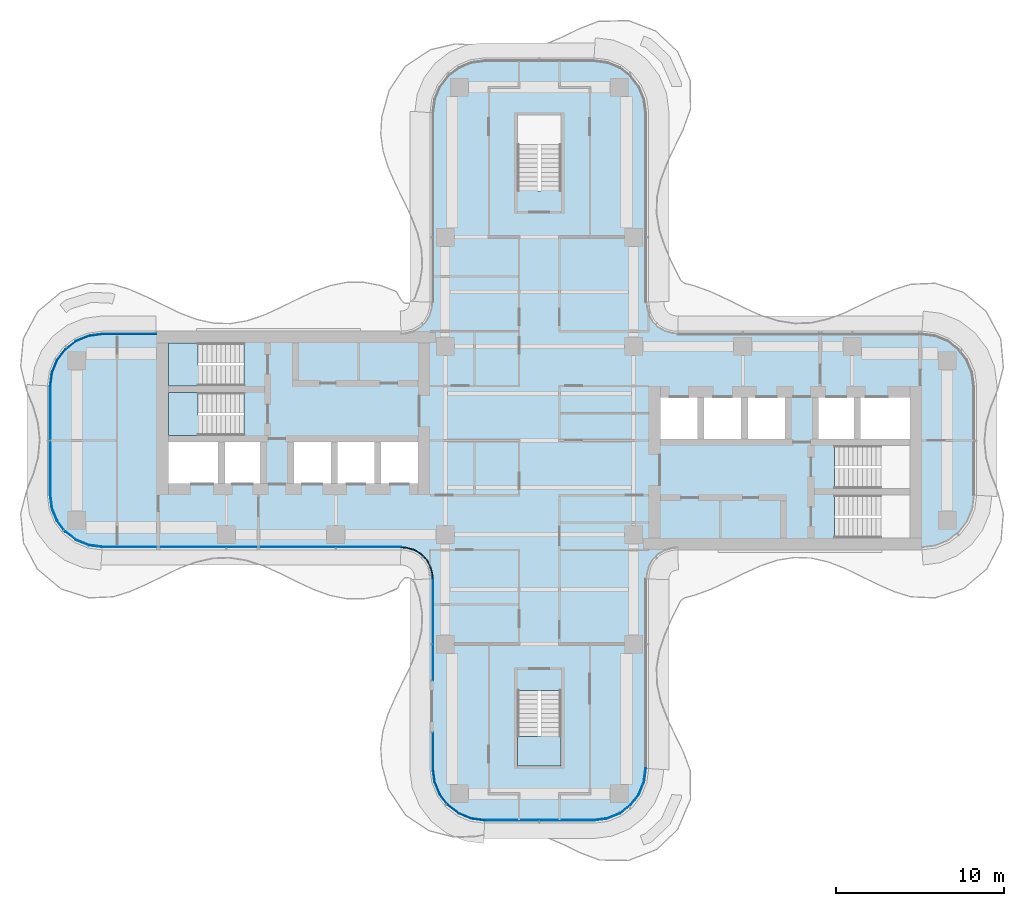
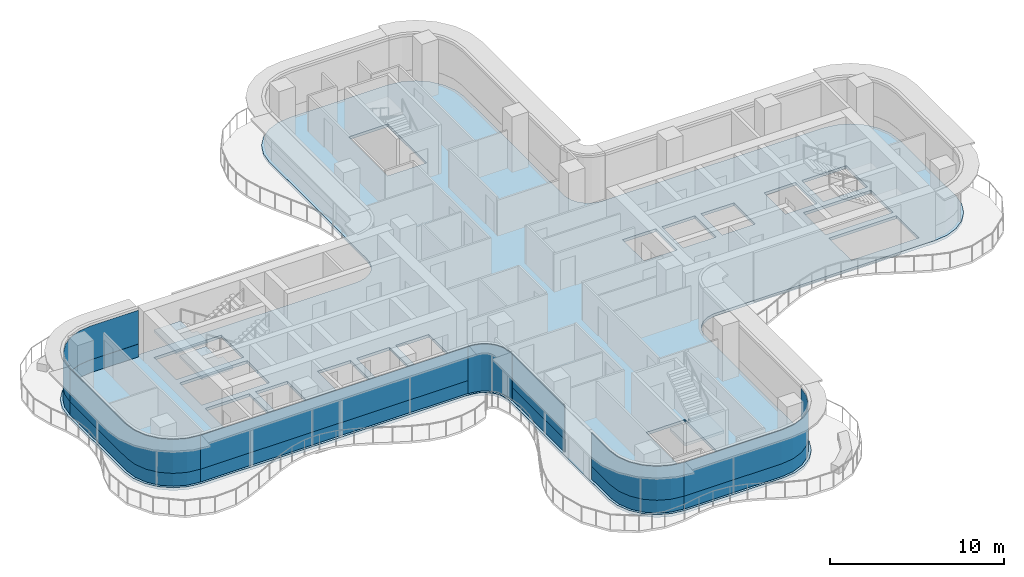
# One storey, part 8 of 16: 13 plates, 4 slabs, 10 elements without a shape of their own.
"""IFC4 building model written with IfcOpenShell, lengths in metres."""

import ifcopenshell
import ifcopenshell.guid

model = None  # the IFC model being written
_history = None  # IfcOwnerHistory: only IFC2X3 demands one
_inside = {}  # id of a spatial element -> (the spatial element, [elements in it])
_under = {}  # id of a project, library or spatial element -> (it, [spatial elements below it])
_declared = {}  # id of a project -> (the project, [libraries it declares])
_typed = {}  # id of a type object -> (the type object, [elements of that type])
_made_of = {}  # id of a material, layer set ... -> (it, [elements and type objects made of it])


def new_model(schema):
    """Start an empty IFC model of exactly this schema.

    Asked for "IFC4X3", IfcOpenShell would pick the latest addendum, in which some entities
    have other attributes; the version numbers below select the first issue.
    IFC2X3 requires an IfcOwnerHistory on every rooted entity: one is made here for all.
    """
    global model, _history
    if schema == "IFC4X3":
        model = ifcopenshell.file(schema_version=(4, 3, 0, 0))
    else:
        model = ifcopenshell.file(schema=schema)
    _inside.clear()
    _under.clear()
    _declared.clear()
    _typed.clear()
    _made_of.clear()
    _history = None
    if model.schema == "IFC2X3":
        org = make("IfcOrganization", Name="unknown")
        user = make(
            "IfcPersonAndOrganization",
            ThePerson=make("IfcPerson", FamilyName="unknown"),
            TheOrganization=org,
        )
        app = make(
            "IfcApplication",
            ApplicationDeveloper=org,
            Version="unknown",
            ApplicationFullName="unknown",
            ApplicationIdentifier="unknown",
        )
        _history = make(
            "IfcOwnerHistory",
            OwningUser=user,
            OwningApplication=app,
            ChangeAction="ADDED",
            CreationDate=0,
        )
    return model


def make(cls, **values):
    """One entity of the class cls with the attributes given. An attribute that is None is left unset."""
    return model.create_entity(
        cls, **{name: value for name, value in values.items() if value is not None}
    )


def rooted(cls, **values):
    """An entity with a GlobalId (a new one), such as an element, a storey or a relation."""
    return make(cls, GlobalId=ifcopenshell.guid.new(), OwnerHistory=_history, **values)


def si_unit(unit_type, name, prefix=None):
    """IfcSIUnit, for example si_unit("LENGTHUNIT", "METRE", prefix="MILLI")."""
    return make("IfcSIUnit", UnitType=unit_type, Prefix=prefix, Name=name)


def assignment(units):
    """IfcUnitAssignment: the units of a project."""
    return None if units is None else make("IfcUnitAssignment", Units=units)


def point(xyz):
    """IfcCartesianPoint."""
    return None if xyz is None else make("IfcCartesianPoint", Coordinates=xyz)


def direction(xyz):
    """IfcDirection."""
    return None if xyz is None else make("IfcDirection", DirectionRatios=xyz)


def frame(location, z_axis=None, x_axis=None):
    """IfcAxis2Placement3D, a coordinate frame: its origin and axes. An axis left out is left unset."""
    return make(
        "IfcAxis2Placement3D",
        Location=point(location),
        Axis=direction(z_axis),
        RefDirection=direction(x_axis),
    )


def origin():
    """The frame at (0, 0, 0) with its axes left unset."""
    return frame((0.0, 0.0, 0.0))


def place(relative_to, where):
    """IfcLocalPlacement: puts the frame where relative to a parent placement (None: the world)."""
    return make(
        "IfcLocalPlacement", PlacementRelTo=relative_to, RelativePlacement=where
    )


def context(
    kind, dimensions, precision=None, world=None, true_north=None, identifier=None
):
    """IfcGeometricRepresentationContext, for example the 3D "Model" context."""
    return make(
        "IfcGeometricRepresentationContext",
        ContextIdentifier=identifier,
        ContextType=kind,
        CoordinateSpaceDimension=dimensions,
        Precision=precision,
        WorldCoordinateSystem=world,
        TrueNorth=true_north,
    )


def subcontext(parent, identifier, kind, view, scale=None):
    """IfcGeometricRepresentationSubContext, for example "Body" below "Model"."""
    return make(
        "IfcGeometricRepresentationSubContext",
        ContextIdentifier=identifier,
        ContextType=kind,
        ParentContext=parent,
        TargetScale=scale,
        TargetView=view,
    )


def project(units=None, contexts=None):
    """IfcProject with its units and contexts."""
    return rooted(
        "IfcProject",
        Name="project",
        RepresentationContexts=contexts,
        UnitsInContext=assignment(units),
    )


def spatial(cls, under=None, at=None, **own):
    """A site, building, storey or space (cls), placed at a placement, below another one or the project."""
    s = rooted(cls, ObjectPlacement=at, **own)
    if under is not None:
        _under.setdefault(under.id(), (under, []))[1].append(s)
    return s


def polyline(points):
    """IfcPolyline through the points."""
    return make("IfcPolyline", Points=[point(p) for p in points])


def outline(outer, holes=None, kind="AREA"):
    """IfcArbitraryClosedProfileDef: a profile drawn as a closed curve; with holes, ...WithVoids."""
    if holes is None:
        return make("IfcArbitraryClosedProfileDef", ProfileType=kind, OuterCurve=outer)
    return make(
        "IfcArbitraryProfileDefWithVoids",
        ProfileType=kind,
        OuterCurve=outer,
        InnerCurves=holes,
    )


def extrude(swept, where, along, depth):
    """IfcExtrudedAreaSolid: the profile swept, set in the frame where, extruded along a direction by depth."""
    return make(
        "IfcExtrudedAreaSolid",
        SweptArea=swept,
        Position=where,
        ExtrudedDirection=direction(along),
        Depth=depth,
    )


def shape(context_of_items, identifier, shape_type, items):
    """IfcShapeRepresentation: the items that make up one representation, for example the "Body"."""
    return make(
        "IfcShapeRepresentation",
        ContextOfItems=context_of_items,
        RepresentationIdentifier=identifier,
        RepresentationType=shape_type,
        Items=items,
    )


def source(mapping_origin, context_of_items, identifier, shape_type, items):
    """IfcRepresentationMap: a shape defined once, which mapped items show again and again."""
    return make(
        "IfcRepresentationMap",
        MappingOrigin=mapping_origin,
        MappedRepresentation=shape(context_of_items, identifier, shape_type, items),
    )


def transform(
    local_origin,
    x_axis=None,
    y_axis=None,
    z_axis=None,
    scale=None,
    scale2=None,
    scale3=None,
    uniform=True,
):
    """IfcCartesianTransformationOperator3D, or its non-uniform kind. x_axis, y_axis, z_axis: its Axis1, 2, 3."""
    if uniform:
        return make(
            "IfcCartesianTransformationOperator3D",
            Axis1=direction(x_axis),
            Axis2=direction(y_axis),
            LocalOrigin=point(local_origin),
            Scale=scale,
            Axis3=direction(z_axis),
        )
    return make(
        "IfcCartesianTransformationOperator3DnonUniform",
        Axis1=direction(x_axis),
        Axis2=direction(y_axis),
        LocalOrigin=point(local_origin),
        Scale=scale,
        Axis3=direction(z_axis),
        Scale2=scale2,
        Scale3=scale3,
    )


def mapped(mapping_source, mapping_target):
    """IfcMappedItem: shows the shape of a source again, moved by a transform."""
    return make(
        "IfcMappedItem", MappingSource=mapping_source, MappingTarget=mapping_target
    )


def material(Name=None, Category=None):
    """IfcMaterial."""
    return make("IfcMaterial", Name=Name, Category=Category)


def layer(
    of_material, thickness, ventilated=None, Name=None, Category=None, Priority=None
):
    """IfcMaterialLayer: one layer of a wall or slab, of a material (None: an air gap)."""
    return make(
        "IfcMaterialLayer",
        Material=of_material,
        LayerThickness=thickness,
        IsVentilated=ventilated,
        Name=Name,
        Category=Category,
        Priority=Priority,
    )


def layer_set(layers, Name=None):
    """IfcMaterialLayerSet."""
    return make("IfcMaterialLayerSet", MaterialLayers=layers, LayerSetName=Name)


def made_of(thing, what):
    """Note that an element or type object is made of a material, layer set ...; save() writes the relation."""
    if what is not None:
        _made_of.setdefault(what.id(), (what, []))[1].append(thing)
    return thing


def type_object(cls, material=None, **own):
    """A type object (cls), such as IfcWallType, which elements share."""
    return made_of(rooted(cls, **own), material)


def element(
    cls,
    number,
    at=None,
    inside=None,
    cuts=None,
    type_object=None,
    material=None,
    context=None,
    identifier="Body",
    shape_type=None,
    held_by="IfcProductDefinitionShape",
    body=None,
    shapes=None,
    **own,
):
    """One element of the class cls, such as IfcWall. Its Tag is "e" and its number.

    at: its placement. inside: the storey or other place that contains it. cuts: it is an
    opening in that element (IfcRelVoidsElement). A single representation is given by context,
    identifier, shape_type and body (its items); several are given by shapes. held_by: the class
    of the entity that holds the representations. save() writes the other relations.
    """
    e = rooted(cls, Tag="e%d" % number, ObjectPlacement=at, **own)
    if body is not None:
        shapes = [shape(context, identifier, shape_type, body)]
    if shapes is not None:
        e.Representation = make(held_by, Representations=shapes)
    if inside is not None:
        _inside.setdefault(inside.id(), (inside, []))[1].append(e)
    if cuts is not None:
        rooted(
            "IfcRelVoidsElement", RelatingBuildingElement=cuts, RelatedOpeningElement=e
        )
    if type_object is not None:
        _typed.setdefault(type_object.id(), (type_object, []))[1].append(e)
    return made_of(e, material)


def aggregate(whole, parts):
    """IfcRelAggregates: a whole, such as a stair, and the parts it consists of."""
    return rooted("IfcRelAggregates", RelatingObject=whole, RelatedObjects=parts)


def save(model, path):
    """Write the relations noted so far, then the file.

    IfcRelAggregates (storeys below a building ...), IfcRelContainedInSpatialStructure (elements
    in a storey), IfcRelDefinesByType, IfcRelAssociatesMaterial and IfcRelDeclares: one each for
    every whole, place, type object, material and project.
    """
    for whole, parts in _under.values():
        aggregate(whole, parts)
    for where, things in _inside.values():
        rooted(
            "IfcRelContainedInSpatialStructure",
            RelatedElements=things,
            RelatingStructure=where,
        )
    for kind, things in _typed.values():
        rooted("IfcRelDefinesByType", RelatedObjects=things, RelatingType=kind)
    for what, things in _made_of.values():
        rooted("IfcRelAssociatesMaterial", RelatedObjects=things, RelatingMaterial=what)
    for by, libraries in _declared.values():
        rooted("IfcRelDeclares", RelatingContext=by, RelatedDefinitions=libraries)
    model.write(path)


model = new_model("IFC4")

# Units and contexts
model_context = context("Model", 3, precision=1e-05, world=origin(), true_north=direction((0.0, 1.0)))
body_context = subcontext(model_context, "Body", "Model", "MODEL_VIEW")
ifc_project = project(units=[si_unit("LENGTHUNIT", "METRE"), si_unit("AREAUNIT", "SQUARE_METRE"), si_unit("VOLUMEUNIT", "CUBIC_METRE"), si_unit("PLANEANGLEUNIT", "RADIAN"), si_unit("MASSUNIT", "GRAM", prefix="KILO")], contexts=[model_context])

# Site, building, storey
site_placement = place(None, origin())
site = spatial("IfcSite", under=ifc_project, at=site_placement, CompositionType="ELEMENT")
building_placement = place(site_placement, origin())
building = spatial("IfcBuilding", under=site, at=building_placement, Name="Trellis Farm Tower", CompositionType="ELEMENT")
storey_placement = place(building_placement, frame((0.0, 0.0, 267.5)))
storey = spatial("IfcBuildingStorey", under=building, at=storey_placement, Name="L60", CompositionType="ELEMENT", Elevation=267.5)

# Curtain wall, plate
ifc_material_1 = material(Name="Aluminium and glass curtain wall", Category="aluminium")
ifc_layer_1 = layer(ifc_material_1, 0.18994140625)
ifc_layer_set_1 = layer_set([ifc_layer_1], Name="RIBBON CURTAIN WALL CW1")
curtain_wall_type_1 = type_object("IfcCurtainWallType", Name="RIBBON CURTAIN WALL CW1", PredefinedType="NOTDEFINED", material=ifc_layer_set_1)
placement_1 = place(storey_placement, origin())
curtain_wall_1 = element("IfcCurtainWall", 1, at=placement_1, inside=storey, type_object=curtain_wall_type_1, Name="CW1 002", PredefinedType="NOTDEFINED")
ifc_material_2 = material(Name="Clear insulated glass", Category="glass")
ifc_layer_2 = layer(ifc_material_2, 0.0400390625)
ifc_layer_set_2 = layer_set([ifc_layer_2], Name="CW1 GLASS PANEL 40")
plate_type_1 = type_object("IfcPlateType", Name="CW1 GLASS PANEL 40", PredefinedType="CURTAIN_PANEL", material=ifc_layer_set_2)
placement_2 = place(storey_placement, frame((0.0, 0.0, 0.89990234375)))
plate_1 = element("IfcPlate", 2, at=placement_2, type_object=plate_type_1, Name="PL1 002", PredefinedType="CURTAIN_PANEL", context=body_context, shape_type="SweptSolid", body=[
    extrude(outline(polyline([(-6.35009765625, -8.2265625), (-6.35009765625, -14.239990234375), (-6.31005859375, -14.239990234375), (-6.31005859375, -8.22509765625), (-6.35009765625, -8.2265625)])), origin(), (0.0, 0.0, 1.0), 2.3701171875),
])

curtain_wall_2 = element("IfcCurtainWall", 3, at=placement_1, inside=storey, type_object=curtain_wall_type_1, Name="CW1 003", PredefinedType="NOTDEFINED")
plate_2 = element("IfcPlate", 4, at=placement_2, type_object=plate_type_1, Name="PL1 003", PredefinedType="CURTAIN_PANEL", context=body_context, shape_type="SweptSolid", body=[
    extrude(outline(polyline([(-6.35009765625, -17.360107421875), (-6.35009765625, -19.490234375), (-6.2431640625, -20.302001953125), (-5.93359375, -21.04931640625), (-5.441162109375, -21.691162109375), (-4.79931640625, -22.18359375), (-4.052001953125, -22.4931640625), (-3.240234375, -22.60009765625), (-3.237548828125, -22.56005859375), (-4.04150390625, -22.4541015625), (-4.779296875, -22.148681640625), (-5.41259765625, -21.66259765625), (-5.898681640625, -21.029296875), (-6.2041015625, -20.29150390625), (-6.31005859375, -19.487548828125), (-6.31005859375, -17.360107421875), (-6.35009765625, -17.360107421875)])), origin(), (0.0, 0.0, 1.0), 2.3701171875),
])

curtain_wall_3 = element("IfcCurtainWall", 5, at=placement_1, inside=storey, type_object=curtain_wall_type_1, Name="CW1 004", PredefinedType="NOTDEFINED")
plate_3 = element("IfcPlate", 6, at=placement_2, type_object=plate_type_1, Name="PL1 004", PredefinedType="CURTAIN_PANEL", context=body_context, shape_type="SweptSolid", body=[
    extrude(outline(polyline([(-3.240234375, -22.60009765625), (3.240234375, -22.60009765625), (4.052001953125, -22.4931640625), (4.79931640625, -22.18359375), (5.441162109375, -21.691162109375), (5.93359375, -21.04931640625), (6.2431640625, -20.302001953125), (6.35009765625, -19.490234375), (6.31005859375, -19.487548828125), (6.2041015625, -20.29150390625), (5.898681640625, -21.029296875), (5.41259765625, -21.66259765625), (4.779296875, -22.148681640625), (4.04150390625, -22.4541015625), (3.237548828125, -22.56005859375), (-3.237548828125, -22.56005859375), (-3.240234375, -22.60009765625)])), origin(), (0.0, 0.0, 1.0), 2.3701171875),
])

# Slab
ifc_material_3 = material(Name="Concrete C40/50", Category="concrete")
ifc_layer_3 = layer(ifc_material_3, 0.199951171875)
ifc_layer_set_3 = layer_set([ifc_layer_3], Name="Composite deck floor slab 200")
slab_type_1 = type_object("IfcSlabType", Name="Composite deck floor slab 200", PredefinedType="FLOOR", material=ifc_layer_set_3)
shared_shape_1 = source(origin(), body_context, "Body", "SweptSolid", [
    extrude(outline(polyline([(-26.84130859375, -6.389404296875), (-27.625, -6.064697265625), (-28.298095703125, -5.548095703125), (-28.814697265625, -4.875), (-29.139404296875, -4.09130859375), (-29.25, -3.25), (-29.25, 3.25), (-29.139404296875, 4.09130859375), (-28.814697265625, 4.875), (-28.298095703125, 5.548095703125), (-27.625, 6.064697265625), (-26.84130859375, 6.389404296875), (-26.0, 6.5), (-8.2314453125, 6.5), (-8.01953125, 6.513916015625), (-7.91552734375, 6.527587890625), (-7.508544921875, 6.63671875), (-7.144287109375, 6.846923828125), (-6.846923828125, 7.144287109375), (-6.63671875, 7.508544921875), (-6.527587890625, 7.91552734375), (-6.513916015625, 8.01953125), (-6.5, 8.2314453125), (-6.5, 19.5), (-6.389404296875, 20.34130859375), (-6.064697265625, 21.125), (-5.548095703125, 21.798095703125), (-4.875, 22.314697265625), (-4.09130859375, 22.639404296875), (-3.25, 22.75), (3.25, 22.75), (4.09130859375, 22.639404296875), (4.875, 22.314697265625), (5.548095703125, 21.798095703125), (6.064697265625, 21.125), (6.389404296875, 20.34130859375), (6.5, 19.5), (6.5, 8.2314453125), (6.513916015625, 8.01953125), (6.527587890625, 7.91552734375), (6.63671875, 7.508544921875), (6.846923828125, 7.144287109375), (7.144287109375, 6.846923828125), (7.508544921875, 6.63671875), (7.91552734375, 6.527587890625), (8.01953125, 6.513916015625), (8.2314453125, 6.5), (22.75, 6.5), (23.59130859375, 6.389404296875), (24.375, 6.064697265625), (25.048095703125, 5.548095703125), (25.564697265625, 4.875), (25.889404296875, 4.09130859375), (26.0, 3.25), (26.0, -3.25), (25.889404296875, -4.09130859375), (25.564697265625, -4.875), (25.048095703125, -5.548095703125), (24.375, -6.064697265625), (23.59130859375, -6.389404296875), (22.75, -6.5), (8.2314453125, -6.5), (8.01953125, -6.513916015625), (7.91552734375, -6.527587890625), (7.508544921875, -6.63671875), (7.144287109375, -6.846923828125), (6.846923828125, -7.144287109375), (6.63671875, -7.508544921875), (6.527587890625, -7.91552734375), (6.513916015625, -8.01953125), (6.5, -8.2314453125), (6.5, -19.5), (6.389404296875, -20.34130859375), (6.064697265625, -21.125), (5.548095703125, -21.798095703125), (4.875, -22.314697265625), (4.09130859375, -22.639404296875), (3.25, -22.75), (-3.25, -22.75), (-4.09130859375, -22.639404296875), (-4.875, -22.314697265625), (-5.548095703125, -21.798095703125), (-6.064697265625, -21.125), (-6.389404296875, -20.34130859375), (-6.5, -19.5), (-6.5, -8.2314453125), (-6.513916015625, -8.01953125), (-6.527587890625, -7.91552734375), (-6.63671875, -7.508544921875), (-6.846923828125, -7.144287109375), (-7.144287109375, -6.846923828125), (-7.508544921875, -6.63671875), (-7.91552734375, -6.527587890625), (-8.01953125, -6.513916015625), (-8.2314453125, -6.5), (-26.0, -6.5), (-26.84130859375, -6.389404296875)]), holes=[polyline([(-22.050048828125, -0.10009765625), (-22.050048828125, -2.550048828125), (-19.10009765625, -2.550048828125), (-19.10009765625, -0.10009765625), (-22.050048828125, -0.10009765625)]), polyline([(-18.699951171875, -0.10009765625), (-18.699951171875, -2.550048828125), (-16.60009765625, -2.550048828125), (-16.60009765625, -0.10009765625), (-18.699951171875, -0.10009765625)]), polyline([(-14.60009765625, -0.10009765625), (-14.60009765625, -2.550048828125), (-12.39990234375, -2.550048828125), (-12.39990234375, -0.10009765625), (-14.60009765625, -0.10009765625)]), polyline([(-12.0, -0.10009765625), (-12.0, -2.550048828125), (-9.800048828125, -2.550048828125), (-9.800048828125, -0.10009765625), (-12.0, -0.10009765625)]), polyline([(-9.39990234375, -0.10009765625), (-9.39990234375, -2.550048828125), (-7.199951171875, -2.550048828125), (-7.199951171875, -0.10009765625), (-9.39990234375, -0.10009765625)]), polyline([(-17.56201171875, 1.64990234375), (-17.56201171875, 2.85009765625), (-22.050048828125, 2.85009765625), (-22.050048828125, 0.300048828125), (-17.56005859375, 0.300048828125), (-17.56005859375, 1.5), (-17.550048828125, 1.5), (-17.550048828125, 1.64990234375), (-17.56201171875, 1.64990234375)]), polyline([(-17.56201171875, 4.60009765625), (-17.56201171875, 5.800048828125), (-22.050048828125, 5.800048828125), (-22.050048828125, 3.25), (-17.56005859375, 3.25), (-17.56005859375, 4.449951171875), (-17.550048828125, 4.449951171875), (-17.550048828125, 4.60009765625), (-17.56201171875, 4.60009765625)]), polyline([(0.10009765625, 14.862060546875), (1.300048828125, 14.862060546875), (1.300048828125, 19.35009765625), (-1.300048828125, 19.35009765625), (-1.300048828125, 14.860107421875), (-0.10009765625, 14.860107421875), (-0.10009765625, 14.85009765625), (0.10009765625, 14.85009765625), (0.10009765625, 14.862060546875)]), polyline([(-0.10009765625, -14.862060546875), (-1.300048828125, -14.862060546875), (-1.300048828125, -19.35009765625), (1.300048828125, -19.35009765625), (1.300048828125, -14.860107421875), (0.10009765625, -14.860107421875), (0.10009765625, -14.85009765625), (-0.10009765625, -14.85009765625), (-0.10009765625, -14.862060546875)]), polyline([(17.56201171875, -4.60009765625), (17.56201171875, -5.800048828125), (22.050048828125, -5.800048828125), (22.050048828125, -3.25), (17.56005859375, -3.25), (17.56005859375, -4.449951171875), (17.550048828125, -4.449951171875), (17.550048828125, -4.60009765625), (17.56201171875, -4.60009765625)]), polyline([(17.56201171875, -1.64990234375), (17.56201171875, -2.85009765625), (22.050048828125, -2.85009765625), (22.050048828125, -0.300048828125), (17.56005859375, -0.300048828125), (17.56005859375, -1.5), (17.550048828125, -1.5), (17.550048828125, -1.64990234375), (17.56201171875, -1.64990234375)]), polyline([(9.39990234375, 0.10009765625), (9.39990234375, 2.550048828125), (7.199951171875, 2.550048828125), (7.199951171875, 0.10009765625), (9.39990234375, 0.10009765625)]), polyline([(12.0, 0.10009765625), (12.0, 2.550048828125), (9.800048828125, 2.550048828125), (9.800048828125, 0.10009765625), (12.0, 0.10009765625)]), polyline([(14.60009765625, 0.10009765625), (14.60009765625, 2.550048828125), (12.39990234375, 2.550048828125), (12.39990234375, 0.10009765625), (14.60009765625, 0.10009765625)]), polyline([(18.699951171875, 0.10009765625), (18.699951171875, 2.550048828125), (16.60009765625, 2.550048828125), (16.60009765625, 0.10009765625), (18.699951171875, 0.10009765625)]), polyline([(22.050048828125, 0.10009765625), (22.050048828125, 2.550048828125), (19.10009765625, 2.550048828125), (19.10009765625, 0.10009765625), (22.050048828125, 0.10009765625)])]), origin(), (0.0, 0.0, 1.0), 0.199951171875),
])
slab_1_placement = place(storey_placement, frame((0.0, 0.0, -0.199951171875)))
element("IfcSlab", 7, at=slab_1_placement, inside=storey, type_object=slab_type_1, Name="Floor slab", PredefinedType="FLOOR", context=body_context, shape_type="MappedRepresentation", body=[
    mapped(shared_shape_1, transform((0.0, 0.0, 0.0))),
])

# Stair, slab
ifc_material_4 = material(Name="Concrete C50/60", Category="concrete")
stair_type = type_object("IfcStairType", Name="CORE EXIT STAIR 22 RISERS 177 MM", PredefinedType="HALF_TURN_STAIR", material=ifc_material_4)
stair_1 = element("IfcStair", 8, at=placement_1, inside=storey, type_object=stair_type, Name="Exit stair S", PredefinedType="HALF_TURN_STAIR")
ifc_layer_4 = layer(ifc_material_4, 0.18994140625)
ifc_layer_set_4 = layer_set([ifc_layer_4], Name="CORE STAIR LANDING 190 CONCRETE C50/60")
slab_type_2 = type_object("IfcSlabType", Name="CORE STAIR LANDING 190 CONCRETE C50/60", PredefinedType="LANDING", material=ifc_layer_set_4)
shared_shape_2 = source(origin(), body_context, "Body", "SweptSolid", [
    extrude(outline(polyline([(1.300048828125, -19.35009765625), (-1.300048828125, -19.35009765625), (-1.300048828125, -17.60009765625), (-1.300048828125, -17.590087890625), (-0.10009765625, -17.590087890625), (-0.10009765625, -17.60009765625), (0.10009765625, -17.60009765625), (0.10009765625, -17.27197265625), (1.300048828125, -17.27197265625), (1.300048828125, -17.60009765625), (1.300048828125, -19.35009765625)])), origin(), (0.0, 0.0, 1.0), 0.18994140625),
])
placement_3 = place(storey_placement, frame((0.0, 0.0, 1.760009765625)))
slab_2 = element("IfcSlab", 9, at=placement_3, type_object=slab_type_2, Name="STS landing 1", PredefinedType="LANDING", context=body_context, shape_type="MappedRepresentation", body=[
    mapped(shared_shape_2, transform((0.0, 0.0, 0.0))),
])
aggregate(stair_1, [slab_2])

stair_2 = element("IfcStair", 10, at=placement_1, inside=storey, type_object=stair_type, Name="Exit stair W1", PredefinedType="HALF_TURN_STAIR")
shared_shape_3 = source(origin(), body_context, "Body", "SweptSolid", [
    extrude(outline(polyline([(-19.971923828125, 4.449951171875), (-19.971923828125, 3.25), (-20.300048828125, 3.25), (-22.050048828125, 3.25), (-22.050048828125, 5.800048828125), (-20.300048828125, 5.800048828125), (-20.2900390625, 5.800048828125), (-20.2900390625, 4.60009765625), (-20.300048828125, 4.60009765625), (-20.300048828125, 4.449951171875), (-19.971923828125, 4.449951171875)])), origin(), (0.0, 0.0, 1.0), 0.18994140625),
])
slab_3 = element("IfcSlab", 11, at=placement_3, type_object=slab_type_2, Name="STW1 landing 1", PredefinedType="LANDING", context=body_context, shape_type="MappedRepresentation", body=[
    mapped(shared_shape_3, transform((0.0, 0.0, 0.0))),
])
aggregate(stair_2, [slab_3])

stair_3 = element("IfcStair", 12, at=placement_1, inside=storey, type_object=stair_type, Name="Exit stair W2", PredefinedType="HALF_TURN_STAIR")
shared_shape_4 = source(origin(), body_context, "Body", "SweptSolid", [
    extrude(outline(polyline([(-19.971923828125, 1.5), (-19.971923828125, 0.300048828125), (-20.300048828125, 0.300048828125), (-22.050048828125, 0.300048828125), (-22.050048828125, 2.85009765625), (-20.300048828125, 2.85009765625), (-20.2900390625, 2.85009765625), (-20.2900390625, 1.64990234375), (-20.300048828125, 1.64990234375), (-20.300048828125, 1.5), (-19.971923828125, 1.5)])), origin(), (0.0, 0.0, 1.0), 0.18994140625),
])
slab_4 = element("IfcSlab", 13, at=placement_3, type_object=slab_type_2, Name="STW2 landing 1", PredefinedType="LANDING", context=body_context, shape_type="MappedRepresentation", body=[
    mapped(shared_shape_4, transform((0.0, 0.0, 0.0))),
])
aggregate(stair_3, [slab_4])

# Curtain wall, plate
curtain_wall_4 = element("IfcCurtainWall", 14, at=placement_1, inside=storey, type_object=curtain_wall_type_1, Name="CW1 001", PredefinedType="NOTDEFINED")
ifc_material_5 = material(Name="Sandstone faced insulated panel", Category="masonry")
ifc_layer_5 = layer(ifc_material_5, 0.050048828125)
ifc_layer_set_5 = layer_set([ifc_layer_5], Name="CW1 STONE SPANDREL PANEL 50")
plate_type_2 = type_object("IfcPlateType", Name="CW1 STONE SPANDREL PANEL 50", PredefinedType="CURTAIN_PANEL", material=ifc_layer_set_5)
shared_shape_5 = source(origin(), body_context, "Body", "SweptSolid", [
    extrude(outline(polyline([(-25.990234375, -6.35009765625), (-8.2265625, -6.35009765625), (-8.224853515625, -6.300048828125), (-25.98681640625, -6.300048828125), (-25.990234375, -6.35009765625)])), origin(), (0.0, 0.0, 1.0), 0.89990234375),
])
plate_4 = element("IfcPlate", 15, at=placement_1, type_object=plate_type_2, Name="PS1 001", PredefinedType="CURTAIN_PANEL", context=body_context, shape_type="MappedRepresentation", body=[
    mapped(shared_shape_5, transform((0.0, 0.0, 0.0))),
])

curtain_wall_5 = element("IfcCurtainWall", 16, at=placement_1, inside=storey, type_object=curtain_wall_type_1, Name="CW1 012", PredefinedType="NOTDEFINED")
shared_shape_6 = source(origin(), body_context, "Body", "SweptSolid", [
    extrude(outline(polyline([(-22.780029296875, 6.35009765625), (-25.990234375, 6.35009765625), (-26.802001953125, 6.2431640625), (-27.54931640625, 5.93359375), (-28.191162109375, 5.441162109375), (-28.68359375, 4.79931640625), (-28.9931640625, 4.052001953125), (-29.10009765625, 3.240234375), (-29.050048828125, 3.23681640625), (-28.9443359375, 4.0390625), (-28.639892578125, 4.774169921875), (-28.155517578125, 5.405517578125), (-27.524169921875, 5.889892578125), (-26.7890625, 6.1943359375), (-25.98681640625, 6.300048828125), (-22.780029296875, 6.300048828125), (-22.780029296875, 6.35009765625)])), origin(), (0.0, 0.0, 1.0), 0.89990234375),
])
plate_5 = element("IfcPlate", 17, at=placement_1, type_object=plate_type_2, Name="PS1 012", PredefinedType="CURTAIN_PANEL", context=body_context, shape_type="MappedRepresentation", body=[
    mapped(shared_shape_6, transform((0.0, 0.0, 0.0))),
])

curtain_wall_6 = element("IfcCurtainWall", 18, at=placement_1, inside=storey, type_object=curtain_wall_type_1, Name="CW1 013", PredefinedType="NOTDEFINED")
shared_shape_7 = source(origin(), body_context, "Body", "SweptSolid", [
    extrude(outline(polyline([(-29.10009765625, 3.240234375), (-29.10009765625, -3.240234375), (-28.9931640625, -4.052001953125), (-28.68359375, -4.79931640625), (-28.191162109375, -5.441162109375), (-27.54931640625, -5.93359375), (-26.802001953125, -6.2431640625), (-25.990234375, -6.35009765625), (-25.98681640625, -6.300048828125), (-26.7890625, -6.1943359375), (-27.524169921875, -5.889892578125), (-28.155517578125, -5.405517578125), (-28.639892578125, -4.774169921875), (-28.9443359375, -4.0390625), (-29.050048828125, -3.23681640625), (-29.050048828125, 3.23681640625), (-29.10009765625, 3.240234375)])), origin(), (0.0, 0.0, 1.0), 0.89990234375),
])
plate_6 = element("IfcPlate", 19, at=placement_1, type_object=plate_type_2, Name="PS1 013", PredefinedType="CURTAIN_PANEL", context=body_context, shape_type="MappedRepresentation", body=[
    mapped(shared_shape_7, transform((0.0, 0.0, 0.0))),
])

# Plate
shared_shape_8 = source(origin(), body_context, "Body", "SweptSolid", [
    extrude(outline(polyline([(-3.240234375, -22.60009765625), (3.240234375, -22.60009765625), (4.052001953125, -22.4931640625), (4.79931640625, -22.18359375), (5.441162109375, -21.691162109375), (5.93359375, -21.04931640625), (6.2431640625, -20.302001953125), (6.35009765625, -19.490234375), (6.300048828125, -19.48681640625), (6.1943359375, -20.2890625), (5.889892578125, -21.024169921875), (5.405517578125, -21.655517578125), (4.774169921875, -22.139892578125), (4.0390625, -22.4443359375), (3.23681640625, -22.550048828125), (-3.23681640625, -22.550048828125), (-3.240234375, -22.60009765625)])), origin(), (0.0, 0.0, 1.0), 0.89990234375),
])
plate_7 = element("IfcPlate", 20, at=placement_1, type_object=plate_type_2, Name="PS1 004", PredefinedType="CURTAIN_PANEL", context=body_context, shape_type="MappedRepresentation", body=[
    mapped(shared_shape_8, transform((0.0, 0.0, 0.0))),
])

aggregate(curtain_wall_3, [plate_3, plate_7])

shared_shape_9 = source(origin(), body_context, "Body", "SweptSolid", [
    extrude(outline(polyline([(-25.990234375, -6.35009765625), (-8.2265625, -6.35009765625), (-8.22509765625, -6.31005859375), (-25.987548828125, -6.31005859375), (-25.990234375, -6.35009765625)])), origin(), (0.0, 0.0, 1.0), 2.3701171875),
])
plate_8 = element("IfcPlate", 21, at=placement_2, type_object=plate_type_1, Name="PL1 001", PredefinedType="CURTAIN_PANEL", context=body_context, shape_type="MappedRepresentation", body=[
    mapped(shared_shape_9, transform((0.0, 0.0, 0.0))),
])

aggregate(curtain_wall_4, [plate_8, plate_4])

# Curtain wall, plate
ifc_layer_6 = layer(ifc_material_1, 0.166015625)
ifc_layer_set_6 = layer_set([ifc_layer_6], Name="WINTER GARDEN CURTAIN WALL CW3")
curtain_wall_type_2 = type_object("IfcCurtainWallType", Name="WINTER GARDEN CURTAIN WALL CW3", PredefinedType="NOTDEFINED", material=ifc_layer_set_6)
curtain_wall_7 = element("IfcCurtainWall", 22, at=placement_1, inside=storey, type_object=curtain_wall_type_2, Name="CW3 001", PredefinedType="NOTDEFINED")
ifc_layer_7 = layer(ifc_material_2, 0.0458984375)
ifc_layer_set_7 = layer_set([ifc_layer_7], Name="CW3 GLASS PANEL 46")
plate_type_3 = type_object("IfcPlateType", Name="CW3 GLASS PANEL 46", PredefinedType="CURTAIN_PANEL", material=ifc_layer_set_7)
shared_shape_10 = source(origin(), body_context, "Body", "SweptSolid", [
    extrude(outline(polyline([(-8.2275390625, -6.3798828125), (-8.0078125, -6.394287109375), (-7.89208984375, -6.40966796875), (-7.462158203125, -6.52490234375), (-7.070556640625, -6.7509765625), (-6.7509765625, -7.070556640625), (-6.52490234375, -7.462158203125), (-6.40966796875, -7.89208984375), (-6.394287109375, -8.0078125), (-6.3798828125, -8.2275390625), (-6.333984375, -8.22607421875), (-6.3486328125, -8.003173828125), (-6.364501953125, -7.883056640625), (-6.48193359375, -7.4443359375), (-6.714111328125, -7.04248046875), (-7.04248046875, -6.714111328125), (-7.4443359375, -6.48193359375), (-7.883056640625, -6.364501953125), (-8.003173828125, -6.3486328125), (-8.22607421875, -6.333984375), (-8.2275390625, -6.3798828125)])), origin(), (0.0, 0.0, 1.0), 3.300048828125),
])
plate_9 = element("IfcPlate", 23, at=placement_1, type_object=plate_type_3, Name="PL3 001", PredefinedType="CURTAIN_PANEL", context=body_context, shape_type="MappedRepresentation", body=[
    mapped(shared_shape_10, transform((0.0, 0.0, 0.0))),
])
aggregate(curtain_wall_7, [plate_9])

# Plate
shared_shape_11 = source(origin(), body_context, "Body", "SweptSolid", [
    extrude(outline(polyline([(-6.35009765625, -8.2265625), (-6.35009765625, -14.239990234375), (-6.300048828125, -14.239990234375), (-6.300048828125, -8.224853515625), (-6.35009765625, -8.2265625)])), origin(), (0.0, 0.0, 1.0), 0.89990234375),
])
plate_10 = element("IfcPlate", 24, at=placement_1, type_object=plate_type_2, Name="PS1 002", PredefinedType="CURTAIN_PANEL", context=body_context, shape_type="MappedRepresentation", body=[
    mapped(shared_shape_11, transform((0.0, 0.0, 0.0))),
])

aggregate(curtain_wall_1, [plate_1, plate_10])

shared_shape_12 = source(origin(), body_context, "Body", "SweptSolid", [
    extrude(outline(polyline([(-6.35009765625, -17.360107421875), (-6.35009765625, -19.490234375), (-6.2431640625, -20.302001953125), (-5.93359375, -21.04931640625), (-5.441162109375, -21.691162109375), (-4.79931640625, -22.18359375), (-4.052001953125, -22.4931640625), (-3.240234375, -22.60009765625), (-3.23681640625, -22.550048828125), (-4.0390625, -22.4443359375), (-4.774169921875, -22.139892578125), (-5.405517578125, -21.655517578125), (-5.889892578125, -21.024169921875), (-6.1943359375, -20.2890625), (-6.300048828125, -19.48681640625), (-6.300048828125, -17.360107421875), (-6.35009765625, -17.360107421875)])), origin(), (0.0, 0.0, 1.0), 0.89990234375),
])
plate_11 = element("IfcPlate", 25, at=placement_1, type_object=plate_type_2, Name="PS1 003", PredefinedType="CURTAIN_PANEL", context=body_context, shape_type="MappedRepresentation", body=[
    mapped(shared_shape_12, transform((0.0, 0.0, 0.0))),
])

aggregate(curtain_wall_2, [plate_2, plate_11])

shared_shape_13 = source(origin(), body_context, "Body", "SweptSolid", [
    extrude(outline(polyline([(-22.780029296875, 6.35009765625), (-25.990234375, 6.35009765625), (-26.802001953125, 6.2431640625), (-27.54931640625, 5.93359375), (-28.191162109375, 5.441162109375), (-28.68359375, 4.79931640625), (-28.9931640625, 4.052001953125), (-29.10009765625, 3.240234375), (-29.06005859375, 3.237548828125), (-28.9541015625, 4.04150390625), (-28.648681640625, 4.779296875), (-28.16259765625, 5.41259765625), (-27.529296875, 5.898681640625), (-26.79150390625, 6.2041015625), (-25.987548828125, 6.31005859375), (-22.780029296875, 6.31005859375), (-22.780029296875, 6.35009765625)])), origin(), (0.0, 0.0, 1.0), 2.3701171875),
])
plate_12 = element("IfcPlate", 26, at=placement_2, type_object=plate_type_1, Name="PL1 012", PredefinedType="CURTAIN_PANEL", context=body_context, shape_type="MappedRepresentation", body=[
    mapped(shared_shape_13, transform((0.0, 0.0, 0.0))),
])

aggregate(curtain_wall_5, [plate_12, plate_5])

shared_shape_14 = source(origin(), body_context, "Body", "SweptSolid", [
    extrude(outline(polyline([(-29.10009765625, 3.240234375), (-29.10009765625, -3.240234375), (-28.9931640625, -4.052001953125), (-28.68359375, -4.79931640625), (-28.191162109375, -5.441162109375), (-27.54931640625, -5.93359375), (-26.802001953125, -6.2431640625), (-25.990234375, -6.35009765625), (-25.987548828125, -6.31005859375), (-26.79150390625, -6.2041015625), (-27.529296875, -5.898681640625), (-28.16259765625, -5.41259765625), (-28.648681640625, -4.779296875), (-28.9541015625, -4.04150390625), (-29.06005859375, -3.237548828125), (-29.06005859375, 3.237548828125), (-29.10009765625, 3.240234375)])), origin(), (0.0, 0.0, 1.0), 2.3701171875),
])
plate_13 = element("IfcPlate", 27, at=placement_2, type_object=plate_type_1, Name="PL1 013", PredefinedType="CURTAIN_PANEL", context=body_context, shape_type="MappedRepresentation", body=[
    mapped(shared_shape_14, transform((0.0, 0.0, 0.0))),
])

aggregate(curtain_wall_6, [plate_13, plate_6])

save(model, "model.ifc")
